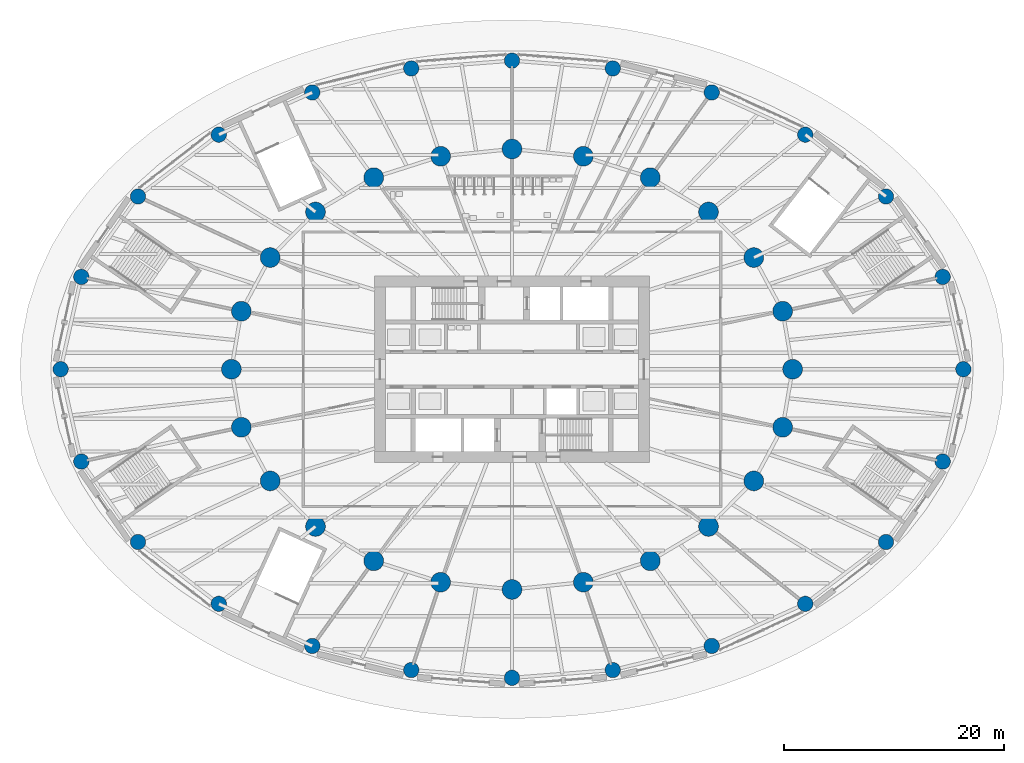
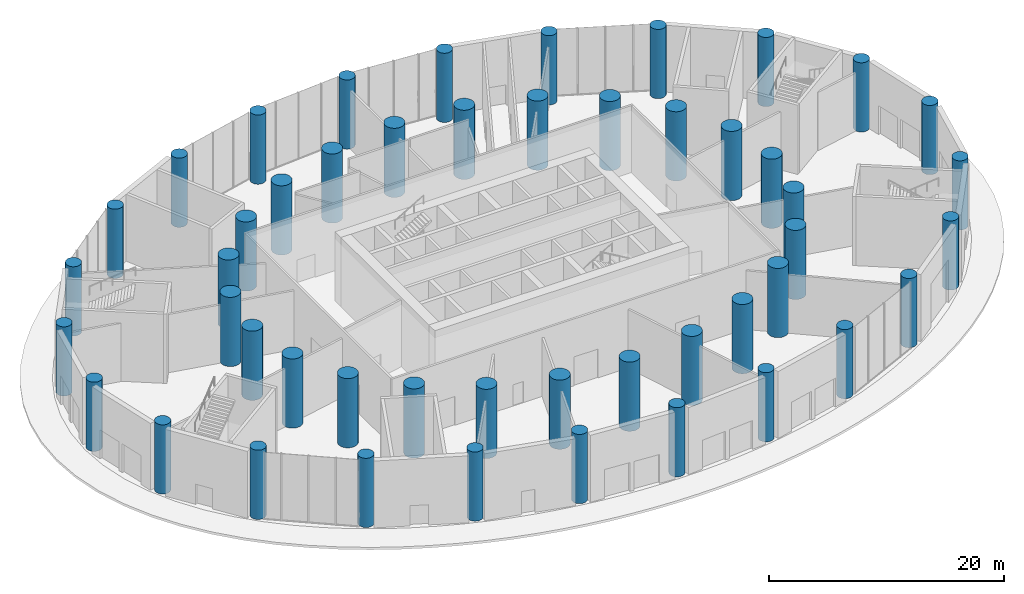
# One storey, part 1 of 22: 48 columns.
"""IFC4 building model written with IfcOpenShell, lengths in metres."""

from ifc_helpers import new_model, si_unit, direction, frame, origin, origin_2d, place, context, subcontext, project, spatial, circle, extrude, material, material_profile, profile_set, type_object, element, save


model = new_model("IFC4")

# Units and contexts
model_context = context("Model", 3, precision=1e-05, world=origin(), true_north=direction((0.0, 1.0)))
body_context = subcontext(model_context, "Body", "Model", "MODEL_VIEW")
ifc_project = project(units=[si_unit("LENGTHUNIT", "METRE"), si_unit("AREAUNIT", "SQUARE_METRE"), si_unit("VOLUMEUNIT", "CUBIC_METRE"), si_unit("PLANEANGLEUNIT", "RADIAN"), si_unit("MASSUNIT", "GRAM", prefix="KILO")], contexts=[model_context])

# Site, building, storey
site_placement = place(None, origin())
site = spatial("IfcSite", under=ifc_project, at=site_placement, CompositionType="ELEMENT")
building_placement = place(site_placement, origin())
building = spatial("IfcBuilding", under=site, at=building_placement, Name="Hankou Lantern Tower", CompositionType="ELEMENT")
storey_placement = place(building_placement, origin())
storey = spatial("IfcBuildingStorey", under=building, at=storey_placement, Name="L00", CompositionType="ELEMENT", Elevation=0.0)

# Columns
ifc_material_1 = material(Name="Concrete C60", Category="concrete")
ifc_material_profile_1 = material_profile(ifc_material_1, circle(Radius=0.699951171875, at=origin_2d()), Name="RC D1400")
ifc_profile_set_1 = profile_set([ifc_material_profile_1], Name="Concrete C60")
column_type_1 = type_object("IfcColumnType", Name="PC1 PODIUM COLUMN RC D1400", PredefinedType="COLUMN", material=ifc_profile_set_1)
for number, where, z_axis, x_axis, name in (
    (1, (41.10009765625, 0.0, 0.0), (0.0, 0.0, 1.0), (1.0, 0.0, 0.0), "Podium column R01 L00"),
    (2, (39.217529296875, 8.40673828125, 0.0), (0.0, 0.0, 1.0), (1.0, 0.0, 0.0), "Podium column R02 L00"),
    (3, (34.056884765625, 15.730224609375, 0.0), (0.0, 0.0, 1.0), (1.0, 0.0, 0.0), "Podium column R03 L00"),
    (4, (26.7021484375, 21.361572265625, 0.0), (0.0, 0.0, 1.0), (1.0, 0.0, 0.0), "Podium column R04 L00"),
    (5, (18.18603515625, 25.199462890625, 0.0), (0.0, 0.0, 1.0), (1.0, 0.0, 0.0), "Podium column R05 L00"),
    (6, (9.17431640625, 27.39111328125, 0.0), (0.0, 0.0, 1.0), (1.0, 0.0, 0.0), "Podium column R06 L00"),
    (7, (0.0, 28.10009765625, 0.0), (0.0, 0.0, 1.0), (1.0, 0.0, 0.0), "Podium column R07 L00"),
    (8, (-9.17431640625, 27.39111328125, 0.0), (0.0, 0.0, 1.0), (1.0, 0.0, 0.0), "Podium column R08 L00"),
    (9, (-18.18603515625, 25.199462890625, 0.0), (0.0, 0.0, 1.0), (1.0, 0.0, 0.0), "Podium column R09 L00"),
    (10, (-26.7021484375, 21.361572265625, 0.0), (0.0, 0.0, 1.0), (1.0, 0.0, 0.0), "Podium column R10 L00"),
    (11, (-34.056884765625, 15.730224609375, 0.0), (0.0, 0.0, 1.0), (1.0, 0.0, 0.0), "Podium column R11 L00"),
    (12, (-39.217529296875, 8.40673828125, 0.0), (0.0, 0.0, 1.0), (1.0, 0.0, 0.0), "Podium column R12 L00"),
    (13, (-41.10009765625, 0.0, 0.0), (0.0, 0.0, 1.0), (1.0, 0.0, 0.0), "Podium column R13 L00"),
    (14, (-39.217529296875, -8.40673828125, 0.0), (0.0, 0.0, 1.0), (1.0, 0.0, 0.0), "Podium column R14 L00"),
    (15, (-34.056884765625, -15.730224609375, 0.0), (0.0, 0.0, 1.0), (1.0, 0.0, 0.0), "Podium column R15 L00"),
    (16, (-26.7021484375, -21.361572265625, 0.0), (0.0, 0.0, 1.0), (1.0, 0.0, 0.0), "Podium column R16 L00"),
    (17, (-18.18603515625, -25.199462890625, 0.0), (0.0, 0.0, 1.0), (1.0, 0.0, 0.0), "Podium column R17 L00"),
    (18, (-9.17431640625, -27.39111328125, 0.0), (0.0, 0.0, 1.0), (1.0, 0.0, 0.0), "Podium column R18 L00"),
    (19, (0.0, -28.10009765625, 0.0), (0.0, 0.0, 1.0), (1.0, 0.0, 0.0), "Podium column R19 L00"),
    (20, (9.17431640625, -27.39111328125, 0.0), (0.0, 0.0, 1.0), (1.0, 0.0, 0.0), "Podium column R20 L00"),
    (21, (18.18603515625, -25.199462890625, 0.0), (0.0, 0.0, 1.0), (1.0, 0.0, 0.0), "Podium column R21 L00"),
    (22, (26.7021484375, -21.361572265625, 0.0), (0.0, 0.0, 1.0), (1.0, 0.0, 0.0), "Podium column R22 L00"),
    (23, (34.056884765625, -15.730224609375, 0.0), (0.0, 0.0, 1.0), (1.0, 0.0, 0.0), "Podium column R23 L00"),
    (24, (39.217529296875, -8.40673828125, 0.0), (0.0, 0.0, 1.0), (1.0, 0.0, 0.0), "Podium column R24 L00"),
):
    element("IfcColumn", number, at=place(storey_placement, frame(where, z_axis=z_axis, x_axis=x_axis)), inside=storey, type_object=column_type_1, Name=name, PredefinedType="COLUMN", context=body_context, shape_type="SweptSolid", body=[
        extrude(circle(Radius=0.699951171875, at=origin_2d()), origin(), (0.0, 0.0, 1.0), 7.199951171875),
    ])
ifc_material_2 = material(Name="Concrete C60", Category="concrete")
ifc_material_profile_2 = material_profile(ifc_material_2, circle(Radius=0.89990234375, at=origin_2d()), Name="RC D1800")
ifc_profile_set_2 = profile_set([ifc_material_profile_2], Name="Concrete C60")
column_type_2 = type_object("IfcColumnType", Name="TC1 PERIMETER COLUMN RC D1800", PredefinedType="COLUMN", material=ifc_profile_set_2)
for number, where, z_axis, x_axis, name in (
    (25, (25.550048828125, 0.0, 0.0), (0.0, 0.0, 1.0), (1.0, 0.0, 0.0), "Column R01 L00"),
    (26, (24.64697265625, 5.283203125, 0.0), (0.0, 0.0, 1.0), (1.0, 0.0, 0.0), "Column R02 L00"),
    (27, (22.01904296875, 10.170166015625, 0.0), (0.0, 0.0, 1.0), (1.0, 0.0, 0.0), "Column R03 L00"),
    (28, (17.891845703125, 14.3134765625, 0.0), (0.0, 0.0, 1.0), (1.0, 0.0, 0.0), "Column R04 L00"),
    (29, (12.5908203125, 17.446533203125, 0.0), (0.0, 0.0, 1.0), (1.0, 0.0, 0.0), "Column R05 L00"),
    (30, (6.494873046875, 19.391357421875, 0.0), (0.0, 0.0, 1.0), (1.0, 0.0, 0.0), "Column R06 L00"),
    (31, (0.0, 20.050048828125, 0.0), (0.0, 0.0, 1.0), (1.0, 0.0, 0.0), "Column R07 L00"),
    (32, (-6.494873046875, 19.391357421875, 0.0), (0.0, 0.0, 1.0), (1.0, 0.0, 0.0), "Column R08 L00"),
    (33, (-12.5908203125, 17.446533203125, 0.0), (0.0, 0.0, 1.0), (1.0, 0.0, 0.0), "Column R09 L00"),
    (34, (-17.891845703125, 14.3134765625, 0.0), (0.0, 0.0, 1.0), (1.0, 0.0, 0.0), "Column R10 L00"),
    (35, (-22.01904296875, 10.170166015625, 0.0), (0.0, 0.0, 1.0), (1.0, 0.0, 0.0), "Column R11 L00"),
    (36, (-24.64697265625, 5.283203125, 0.0), (0.0, 0.0, 1.0), (1.0, 0.0, 0.0), "Column R12 L00"),
    (37, (-25.550048828125, 0.0, 0.0), (0.0, 0.0, 1.0), (1.0, 0.0, 0.0), "Column R13 L00"),
    (38, (-24.64697265625, -5.283203125, 0.0), (0.0, 0.0, 1.0), (1.0, 0.0, 0.0), "Column R14 L00"),
    (39, (-22.01904296875, -10.170166015625, 0.0), (0.0, 0.0, 1.0), (1.0, 0.0, 0.0), "Column R15 L00"),
    (40, (-17.891845703125, -14.3134765625, 0.0), (0.0, 0.0, 1.0), (1.0, 0.0, 0.0), "Column R16 L00"),
    (41, (-12.5908203125, -17.446533203125, 0.0), (0.0, 0.0, 1.0), (1.0, 0.0, 0.0), "Column R17 L00"),
    (42, (-6.494873046875, -19.391357421875, 0.0), (0.0, 0.0, 1.0), (1.0, 0.0, 0.0), "Column R18 L00"),
    (43, (0.0, -20.050048828125, 0.0), (0.0, 0.0, 1.0), (1.0, 0.0, 0.0), "Column R19 L00"),
    (44, (6.494873046875, -19.391357421875, 0.0), (0.0, 0.0, 1.0), (1.0, 0.0, 0.0), "Column R20 L00"),
    (45, (12.5908203125, -17.446533203125, 0.0), (0.0, 0.0, 1.0), (1.0, 0.0, 0.0), "Column R21 L00"),
    (46, (17.891845703125, -14.3134765625, 0.0), (0.0, 0.0, 1.0), (1.0, 0.0, 0.0), "Column R22 L00"),
    (47, (22.01904296875, -10.170166015625, 0.0), (0.0, 0.0, 1.0), (1.0, 0.0, 0.0), "Column R23 L00"),
    (48, (24.64697265625, -5.283203125, 0.0), (0.0, 0.0, 1.0), (1.0, 0.0, 0.0), "Column R24 L00"),
):
    element("IfcColumn", number, at=place(storey_placement, frame(where, z_axis=z_axis, x_axis=x_axis)), inside=storey, type_object=column_type_2, Name=name, PredefinedType="COLUMN", context=body_context, shape_type="SweptSolid", body=[
        extrude(circle(Radius=0.89990234375, at=origin_2d()), origin(), (0.0, 0.0, 1.0), 7.199951171875),
    ])

save(model, "model.ifc")
